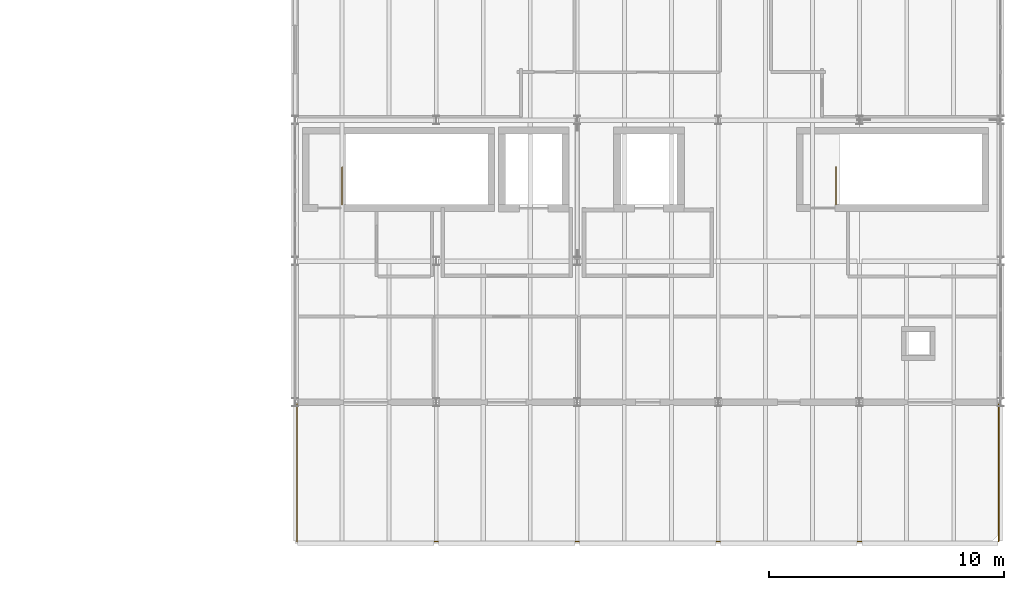
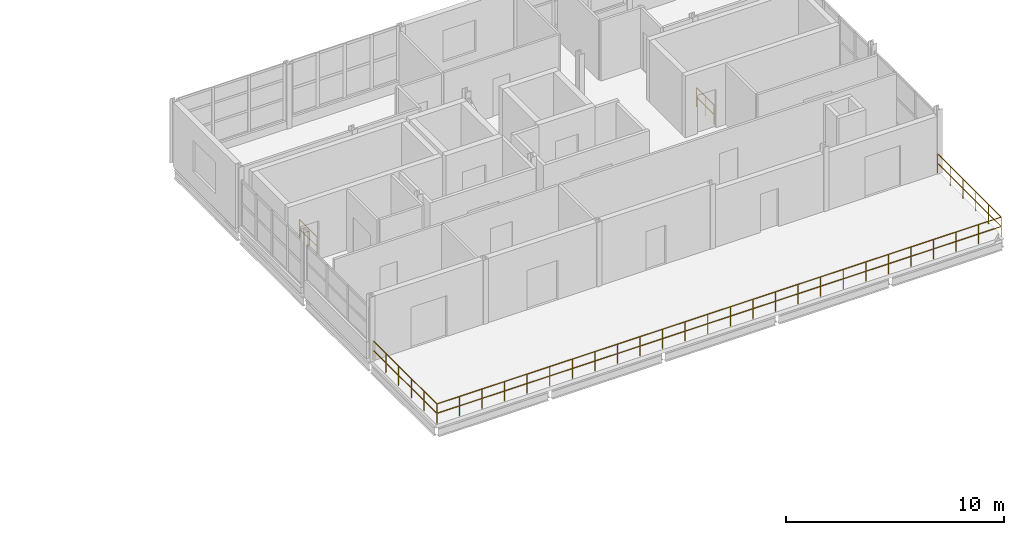
# One storey, part 20 of 20: 5 railings.
"""IFC4 building model written with IfcOpenShell, lengths in metres."""

from ifc_helpers import new_model, si_unit, direction, frame, origin, origin_2d, place, context, subcontext, project, spatial, circle, extrude, material, type_object, element, save


model = new_model("IFC4")

# Units and contexts
model_context = context("Model", 3, precision=1e-05, world=origin(), true_north=direction((0.0, 1.0)))
body_context = subcontext(model_context, "Body", "Model", "MODEL_VIEW")
ifc_project = project(units=[si_unit("LENGTHUNIT", "METRE"), si_unit("AREAUNIT", "SQUARE_METRE"), si_unit("VOLUMEUNIT", "CUBIC_METRE"), si_unit("PLANEANGLEUNIT", "RADIAN"), si_unit("MASSUNIT", "GRAM", prefix="KILO")], contexts=[model_context])

# Site, building, storey
site_placement = place(None, origin())
site = spatial("IfcSite", under=ifc_project, at=site_placement, CompositionType="ELEMENT")
building_placement = place(site_placement, origin())
building = spatial("IfcBuilding", under=site, at=building_placement, Name="Siltcreek Boulevard Central Fire Station", CompositionType="ELEMENT")
storey_placement = place(building_placement, frame((0.0, 0.0, 18.0)))
storey = spatial("IfcBuildingStorey", under=building, at=storey_placement, Name="L05", CompositionType="ELEMENT", Elevation=18.0)

# Railings
ifc_material_1 = material(Name="Painted galvanized steel stair guard", Category="steel")
railing_type_1 = type_object("IfcRailingType", Name="RL_ST_GUARD", PredefinedType="BALUSTRADE", material=ifc_material_1)
for number, where, name in (
    (1, (126.199951171875, 102.60009765625, 0.0), "L05 ST-V5A top well guard 1"),
    (2, (147.199951171875, 102.60009765625, 0.0), "L05 ST-V5B top well guard 1"),
):
    element("IfcRailing", number, at=place(storey_placement, frame(where)), inside=storey, type_object=railing_type_1, Name=name, PredefinedType="BALUSTRADE", context=body_context, shape_type="SweptSolid", body=[
        extrude(circle(Radius=0.02392578125, at=origin_2d()), frame((0.0, 0.0, 1.076171875), z_axis=(0.0, 1.0, 0.0), x_axis=(-1.0, 0.0, 0.0)), (0.0, 0.0, 1.0), 1.599853515625),
        extrude(circle(Radius=0.02392578125, at=origin_2d()), frame((0.0, 0.0, 0.550048828125), z_axis=(0.0, 1.0, 0.0), x_axis=(-1.0, 0.0, 0.0)), (0.0, 0.0, 1.0), 1.599853515625),
        extrude(circle(Radius=0.02099609375, at=origin_2d()), origin(), (0.0, 0.0, 1.0), 1.052001953125),
        extrude(circle(Radius=0.02099609375, at=origin_2d()), frame((0.0, 0.7998046875, 0.0)), (0.0, 0.0, 1.0), 1.052001953125),
        extrude(circle(Radius=0.02099609375, at=origin_2d()), frame((0.0, 1.599853515625, 0.0)), (0.0, 0.0, 1.0), 1.052001953125),
    ])
ifc_material_2 = material(Name="Galvanized painted steel guardrail", Category="steel")
railing_type_2 = type_object("IfcRailingType", Name="RL_TER_GUARD", PredefinedType="BALUSTRADE", material=ifc_material_2)
railing_1_placement = place(storey_placement, frame((124.280029296875, 88.280029296875, 0.0)))
element("IfcRailing", 3, at=railing_1_placement, inside=storey, type_object=railing_type_2, Name="L05 V5 outdoor terrace perimeter guard 1.1", PredefinedType="BALUSTRADE", context=body_context, shape_type="SweptSolid", body=[
    extrude(circle(Radius=0.02392578125, at=origin_2d()), frame((0.0, 0.0, 1.076171875), z_axis=(1.0, 0.0, 0.0), x_axis=(0.0, 1.0, 0.0)), (0.0, 0.0, 1.0), 29.840087890625),
    extrude(circle(Radius=0.02392578125, at=origin_2d()), frame((0.0, 0.0, 0.550048828125), z_axis=(1.0, 0.0, 0.0), x_axis=(0.0, 1.0, 0.0)), (0.0, 0.0, 1.0), 29.840087890625),
    extrude(circle(Radius=0.02099609375, at=origin_2d()), origin(), (0.0, 0.0, 1.0), 1.052001953125),
    extrude(circle(Radius=0.02099609375, at=origin_2d()), frame((1.193603515625, 0.0, 0.0)), (0.0, 0.0, 1.0), 1.052001953125),
    extrude(circle(Radius=0.02099609375, at=origin_2d()), frame((2.38720703125, 0.0, 0.0)), (0.0, 0.0, 1.0), 1.052001953125),
    extrude(circle(Radius=0.02099609375, at=origin_2d()), frame((3.580810546875, 0.0, 0.0)), (0.0, 0.0, 1.0), 1.052001953125),
    extrude(circle(Radius=0.02099609375, at=origin_2d()), frame((4.7744140625, 0.0, 0.0)), (0.0, 0.0, 1.0), 1.052001953125),
    extrude(circle(Radius=0.02099609375, at=origin_2d()), frame((5.968017578125, 0.0, 0.0)), (0.0, 0.0, 1.0), 1.052001953125),
    extrude(circle(Radius=0.02099609375, at=origin_2d()), frame((7.16162109375, 0.0, 0.0)), (0.0, 0.0, 1.0), 1.052001953125),
    extrude(circle(Radius=0.02099609375, at=origin_2d()), frame((8.355224609375, 0.0, 0.0)), (0.0, 0.0, 1.0), 1.052001953125),
    extrude(circle(Radius=0.02099609375, at=origin_2d()), frame((9.548828125, 0.0, 0.0)), (0.0, 0.0, 1.0), 1.052001953125),
    extrude(circle(Radius=0.02099609375, at=origin_2d()), frame((10.742431640625, 0.0, 0.0)), (0.0, 0.0, 1.0), 1.052001953125),
    extrude(circle(Radius=0.02099609375, at=origin_2d()), frame((11.93603515625, 0.0, 0.0)), (0.0, 0.0, 1.0), 1.052001953125),
    extrude(circle(Radius=0.02099609375, at=origin_2d()), frame((13.129638671875, 0.0, 0.0)), (0.0, 0.0, 1.0), 1.052001953125),
    extrude(circle(Radius=0.02099609375, at=origin_2d()), frame((14.3232421875, 0.0, 0.0)), (0.0, 0.0, 1.0), 1.052001953125),
    extrude(circle(Radius=0.02099609375, at=origin_2d()), frame((15.516845703125, 0.0, 0.0)), (0.0, 0.0, 1.0), 1.052001953125),
    extrude(circle(Radius=0.02099609375, at=origin_2d()), frame((16.71044921875, 0.0, 0.0)), (0.0, 0.0, 1.0), 1.052001953125),
    extrude(circle(Radius=0.02099609375, at=origin_2d()), frame((17.904052734375, 0.0, 0.0)), (0.0, 0.0, 1.0), 1.052001953125),
    extrude(circle(Radius=0.02099609375, at=origin_2d()), frame((19.09765625, 0.0, 0.0)), (0.0, 0.0, 1.0), 1.052001953125),
    extrude(circle(Radius=0.02099609375, at=origin_2d()), frame((20.291259765625, 0.0, 0.0)), (0.0, 0.0, 1.0), 1.052001953125),
    extrude(circle(Radius=0.02099609375, at=origin_2d()), frame((21.48486328125, 0.0, 0.0)), (0.0, 0.0, 1.0), 1.052001953125),
    extrude(circle(Radius=0.02099609375, at=origin_2d()), frame((22.678466796875, 0.0, 0.0)), (0.0, 0.0, 1.0), 1.052001953125),
    extrude(circle(Radius=0.02099609375, at=origin_2d()), frame((23.8720703125, 0.0, 0.0)), (0.0, 0.0, 1.0), 1.052001953125),
    extrude(circle(Radius=0.02099609375, at=origin_2d()), frame((25.065673828125, 0.0, 0.0)), (0.0, 0.0, 1.0), 1.052001953125),
    extrude(circle(Radius=0.02099609375, at=origin_2d()), frame((26.25927734375, 0.0, 0.0)), (0.0, 0.0, 1.0), 1.052001953125),
    extrude(circle(Radius=0.02099609375, at=origin_2d()), frame((27.452880859375, 0.0, 0.0)), (0.0, 0.0, 1.0), 1.052001953125),
    extrude(circle(Radius=0.02099609375, at=origin_2d()), frame((28.646484375, 0.0, 0.0)), (0.0, 0.0, 1.0), 1.052001953125),
    extrude(circle(Radius=0.02099609375, at=origin_2d()), frame((29.840087890625, 0.0, 0.0)), (0.0, 0.0, 1.0), 1.052001953125),
])
railing_2_placement = place(storey_placement, frame((154.1201171875, 88.280029296875, 0.0)))
element("IfcRailing", 4, at=railing_2_placement, inside=storey, type_object=railing_type_2, Name="L05 V5 outdoor terrace perimeter guard 1.2", PredefinedType="BALUSTRADE", context=body_context, shape_type="SweptSolid", body=[
    extrude(circle(Radius=0.02392578125, at=origin_2d()), frame((0.0, 0.0, 1.076171875), z_axis=(0.0, 1.0, 0.0), x_axis=(-1.0, 0.0, 0.0)), (0.0, 0.0, 1.0), 5.840087890625),
    extrude(circle(Radius=0.02392578125, at=origin_2d()), frame((0.0, 0.0, 0.550048828125), z_axis=(0.0, 1.0, 0.0), x_axis=(-1.0, 0.0, 0.0)), (0.0, 0.0, 1.0), 5.840087890625),
    extrude(circle(Radius=0.02099609375, at=origin_2d()), origin(), (0.0, 0.0, 1.0), 1.052001953125),
    extrude(circle(Radius=0.02099609375, at=origin_2d()), frame((0.0, 1.16796875, 0.0)), (0.0, 0.0, 1.0), 1.052001953125),
    extrude(circle(Radius=0.02099609375, at=origin_2d()), frame((0.0, 2.3359375, 0.0)), (0.0, 0.0, 1.0), 1.052001953125),
    extrude(circle(Radius=0.02099609375, at=origin_2d()), frame((0.0, 3.504150390625, 0.0)), (0.0, 0.0, 1.0), 1.052001953125),
    extrude(circle(Radius=0.02099609375, at=origin_2d()), frame((0.0, 4.672119140625, 0.0)), (0.0, 0.0, 1.0), 1.052001953125),
    extrude(circle(Radius=0.02099609375, at=origin_2d()), frame((0.0, 5.840087890625, 0.0)), (0.0, 0.0, 1.0), 1.052001953125),
])
railing_3_placement = place(storey_placement, frame((124.280029296875, 94.1201171875, 0.0)))
element("IfcRailing", 5, at=railing_3_placement, inside=storey, type_object=railing_type_2, Name="L05 V5 outdoor terrace perimeter guard 1.4", PredefinedType="BALUSTRADE", context=body_context, shape_type="SweptSolid", body=[
    extrude(circle(Radius=0.02392578125, at=origin_2d()), frame((0.0, 0.0, 1.076171875), z_axis=(0.0, -1.0, 0.0), x_axis=(1.0, 0.0, 0.0)), (0.0, 0.0, 1.0), 5.840087890625),
    extrude(circle(Radius=0.02392578125, at=origin_2d()), frame((0.0, 0.0, 0.550048828125), z_axis=(0.0, -1.0, 0.0), x_axis=(1.0, 0.0, 0.0)), (0.0, 0.0, 1.0), 5.840087890625),
    extrude(circle(Radius=0.02099609375, at=origin_2d()), origin(), (0.0, 0.0, 1.0), 1.052001953125),
    extrude(circle(Radius=0.02099609375, at=origin_2d()), frame((0.0, -1.16796875, 0.0)), (0.0, 0.0, 1.0), 1.052001953125),
    extrude(circle(Radius=0.02099609375, at=origin_2d()), frame((0.0, -2.3359375, 0.0)), (0.0, 0.0, 1.0), 1.052001953125),
    extrude(circle(Radius=0.02099609375, at=origin_2d()), frame((0.0, -3.504150390625, 0.0)), (0.0, 0.0, 1.0), 1.052001953125),
    extrude(circle(Radius=0.02099609375, at=origin_2d()), frame((0.0, -4.672119140625, 0.0)), (0.0, 0.0, 1.0), 1.052001953125),
    extrude(circle(Radius=0.02099609375, at=origin_2d()), frame((0.0, -5.840087890625, 0.0)), (0.0, 0.0, 1.0), 1.052001953125),
])

save(model, "model.ifc")
